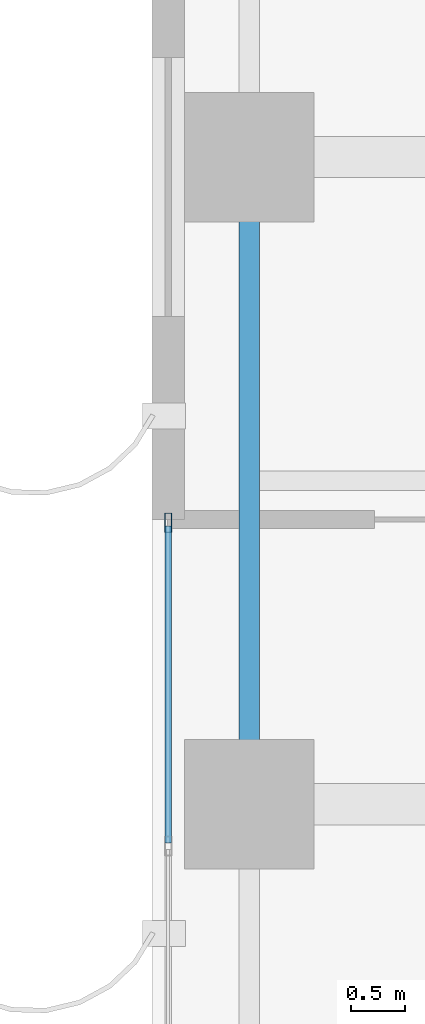
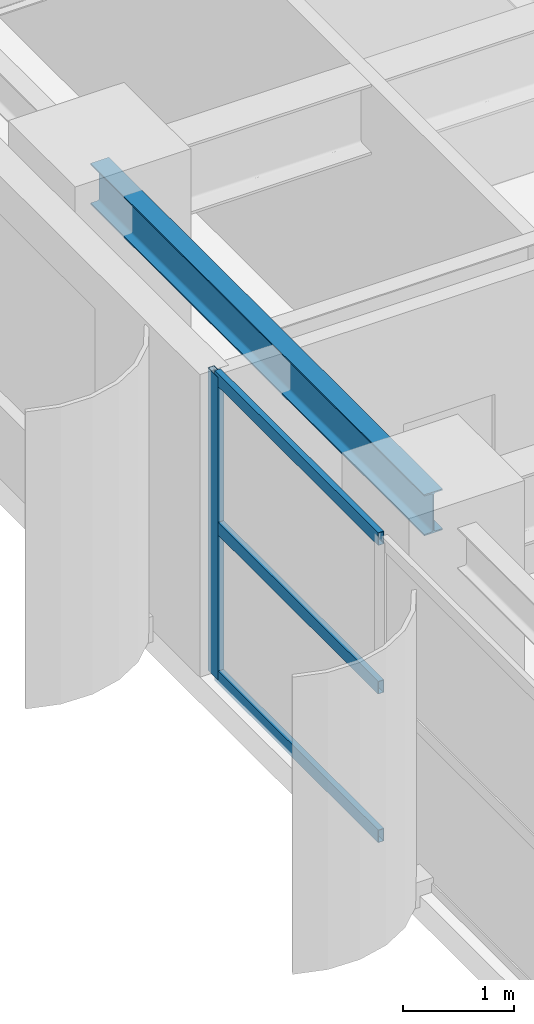
# One storey, part 8 of 26: 4 members, 1 beam, 1 element without a shape of its own.
"""IFC4 building model written with IfcOpenShell, lengths in metres."""

from ifc_helpers import new_model, si_unit, direction, frame, origin, origin_2d, place, context, subcontext, project, spatial, hollow_rectangle, i_section, extrude, source, transform, mapped, material, layer, layer_set, material_profile, profile_set, type_object, element, aggregate, save


model = new_model("IFC4")

# Units and contexts
model_context = context("Model", 3, precision=1e-05, world=origin(), true_north=direction((0.0, 1.0)))
body_context = subcontext(model_context, "Body", "Model", "MODEL_VIEW")
ifc_project = project(units=[si_unit("LENGTHUNIT", "METRE"), si_unit("AREAUNIT", "SQUARE_METRE"), si_unit("VOLUMEUNIT", "CUBIC_METRE"), si_unit("PLANEANGLEUNIT", "RADIAN"), si_unit("MASSUNIT", "GRAM", prefix="KILO")], contexts=[model_context])

# Site, building, storey
site_placement = place(None, origin())
site = spatial("IfcSite", under=ifc_project, at=site_placement, CompositionType="ELEMENT")
building_placement = place(site_placement, origin())
building = spatial("IfcBuilding", under=site, at=building_placement, Name="Khoralis Quay Care Tower", CompositionType="ELEMENT")
storey_placement = place(building_placement, frame((0.0, 0.0, 26.10009765625)))
storey = spatial("IfcBuildingStorey", under=building, at=storey_placement, Name="L06", CompositionType="ELEMENT", Elevation=26.10009765625)

# Beam
ifc_material_1 = material(Name="Steel S355", Category="steel")
ifc_material_profile_1 = material_profile(ifc_material_1, i_section(OverallWidth=0.18994140625, OverallDepth=0.449951171875, WebThickness=0.009521484375, FlangeThickness=0.0146484375, FilletRadius=0.02099609375, at=origin_2d()), Name="Steel S355")
ifc_profile_set_1 = profile_set([ifc_material_profile_1], Name="Steel S355")
beam_type = type_object("IfcBeamType", Name="BM-IPE450", PredefinedType="SPANDREL", material=ifc_profile_set_1)
shared_shape_1 = source(origin(), body_context, "Body", "SweptSolid", [
    extrude(i_section(OverallWidth=0.18994140625, OverallDepth=0.449951171875, WebThickness=0.009521484375, FlangeThickness=0.0146484375, FilletRadius=0.02099609375, at=origin_2d()), origin(), (0.0, 0.0, 1.0), 6.0),
])
beam_placement = place(storey_placement, frame((0.89990234375, 30.0, 3.094970703125), z_axis=(0.0, 1.0, 0.0), x_axis=(-1.0, 0.0, 0.0)))
element("IfcBeam", 1, at=beam_placement, inside=storey, type_object=beam_type, Name="BM-TSP-L06-17", PredefinedType="SPANDREL", context=body_context, shape_type="MappedRepresentation", body=[
    mapped(shared_shape_1, transform((0.0, 0.0, 0.0), scale=1.0)),
])

# Curtain wall, members
ifc_material_2 = material(Name="Pale anodised aluminium", Category="aluminium")
ifc_layer = layer(ifc_material_2, 0.179931640625)
ifc_layer_set = layer_set([ifc_layer], Name="Pale anodised aluminium")
curtain_wall_type = type_object("IfcCurtainWallType", Name="CW-SYS-Z1", PredefinedType="NOTDEFINED", material=ifc_layer_set)
curtain_wall_placement = place(storey_placement, origin())
curtain_wall = element("IfcCurtainWall", 2, at=curtain_wall_placement, inside=storey, type_object=curtain_wall_type, Name="L06 Unitised Curtain Wall CW-L06-P1-E15", PredefinedType="NOTDEFINED")
ifc_material_profile_2 = material_profile(ifc_material_2, hollow_rectangle(XDim=0.06494140625, YDim=0.179931640625, WallThickness=0.00390625, at=origin_2d()), Name="Pale anodised aluminium")
ifc_profile_set_2 = profile_set([ifc_material_profile_2], Name="Pale anodised aluminium")
member_type_1 = type_object("IfcMemberType", Name="CW-MUL-180", PredefinedType="MULLION", material=ifc_profile_set_2)
shared_shape_2 = source(origin(), body_context, "Body", "SweptSolid", [
    extrude(hollow_rectangle(XDim=0.06494140625, YDim=0.179931640625, WallThickness=0.00390625, at=origin_2d()), origin(), (0.0, 0.0, 1.0), 3.31982421875),
])
member_1_placement = place(storey_placement, frame((0.14990234375, 32.610107421875, 0.0), z_axis=(0.0, 0.0, 1.0), x_axis=(1.0, 0.0, 0.0)))
member_1 = element("IfcMember", 3, at=member_1_placement, type_object=member_type_1, Name="CW1 mullion 1", PredefinedType="MULLION", context=body_context, shape_type="MappedRepresentation", body=[
    mapped(shared_shape_2, transform((0.0, 0.0, 0.0), scale=1.0)),
])
ifc_material_profile_3 = material_profile(ifc_material_2, hollow_rectangle(XDim=0.06005859375, YDim=0.139892578125, WallThickness=0.00390625, at=origin_2d()), Name="Pale anodised aluminium")
ifc_profile_set_3 = profile_set([ifc_material_profile_3], Name="Pale anodised aluminium")
member_type_2 = type_object("IfcMemberType", Name="CW-TRN-140", PredefinedType="USERDEFINED", material=ifc_profile_set_3)
shared_shape_3 = source(origin(), body_context, "Body", "SweptSolid", [
    extrude(hollow_rectangle(XDim=0.06005859375, YDim=0.139892578125, WallThickness=0.00390625, at=origin_2d()), origin(), (0.0, 0.0, 1.0), 2.93798828125),
])
member_2_placement = place(storey_placement, frame((0.14990234375, 32.580078125, 0.02978515625), z_axis=(0.0, -1.0, 0.0), x_axis=(1.0, 0.0, 0.0)))
member_2 = element("IfcMember", 4, at=member_2_placement, type_object=member_type_2, Name="CW1 transom 1.1", ObjectType="TRANSOM", PredefinedType="USERDEFINED", context=body_context, shape_type="MappedRepresentation", body=[
    mapped(shared_shape_3, transform((0.0, 0.0, 0.0), scale=1.0)),
])
member_3_placement = place(storey_placement, frame((0.14990234375, 32.580078125, 1.659912109375), z_axis=(0.0, -1.0, 0.0), x_axis=(1.0, 0.0, 0.0)))
member_3 = element("IfcMember", 5, at=member_3_placement, type_object=member_type_2, Name="CW1 transom 1.2", ObjectType="TRANSOM", PredefinedType="USERDEFINED", context=body_context, shape_type="MappedRepresentation", body=[
    mapped(shared_shape_3, transform((0.0, 0.0, 0.0), scale=1.0)),
])
member_4_placement = place(storey_placement, frame((0.14990234375, 32.580078125, 3.289794921875), z_axis=(0.0, -1.0, 0.0), x_axis=(1.0, 0.0, 0.0)))
member_4 = element("IfcMember", 6, at=member_4_placement, type_object=member_type_2, Name="CW1 transom 1.3", ObjectType="TRANSOM", PredefinedType="USERDEFINED", context=body_context, shape_type="MappedRepresentation", body=[
    mapped(shared_shape_3, transform((0.0, 0.0, 0.0), scale=1.0)),
])
aggregate(curtain_wall, [member_1, member_2, member_3, member_4])

save(model, "model.ifc")
